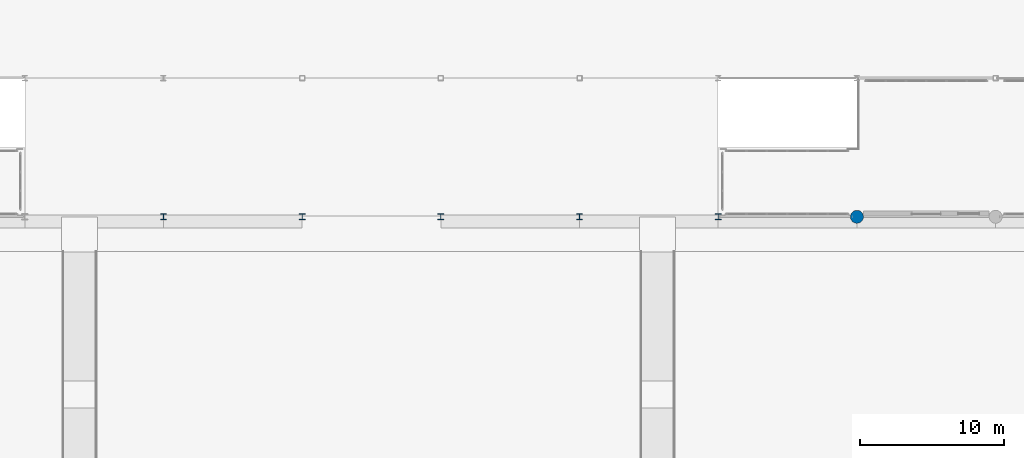
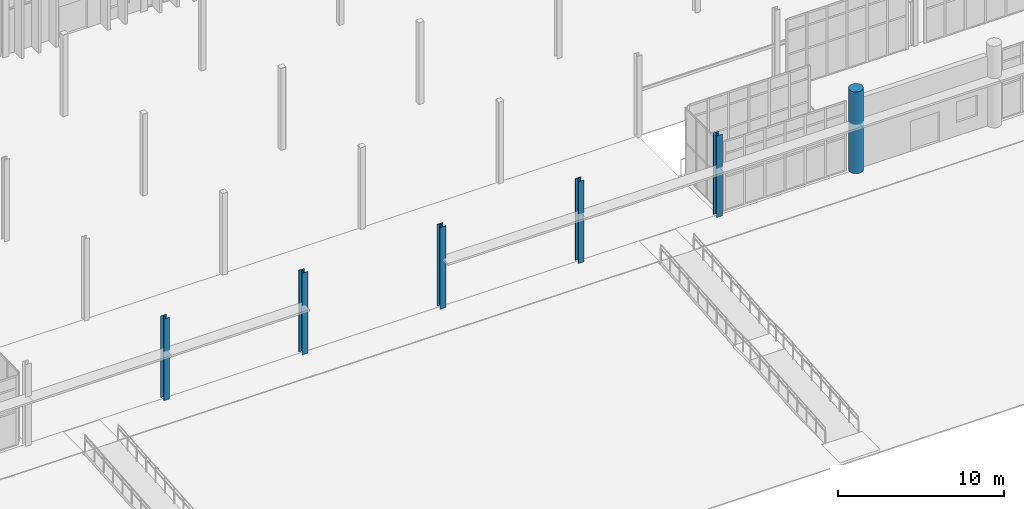
# One storey, part 5 of 139: 6 columns.
"""IFC4 building model written with IfcOpenShell, lengths in metres."""

from ifc_helpers import new_model, si_unit, direction, frame, origin, origin_2d, place, context, subcontext, project, spatial, circle, i_section, extrude, material, material_profile, profile_set, type_object, element, save


model = new_model("IFC4")

# Units and contexts
model_context = context("Model", 3, precision=1e-05, world=origin(), true_north=direction((0.0, 1.0)))
body_context = subcontext(model_context, "Body", "Model", "MODEL_VIEW")
ifc_project = project(units=[si_unit("LENGTHUNIT", "METRE"), si_unit("AREAUNIT", "SQUARE_METRE"), si_unit("VOLUMEUNIT", "CUBIC_METRE"), si_unit("PLANEANGLEUNIT", "RADIAN"), si_unit("MASSUNIT", "GRAM", prefix="KILO")], contexts=[model_context])

# Site, building, storey
site_placement = place(None, origin())
site = spatial("IfcSite", under=ifc_project, at=site_placement, CompositionType="ELEMENT")
building_placement = place(site_placement, origin())
building = spatial("IfcBuilding", under=site, at=building_placement, Name="Yeouljin Market Hall", CompositionType="ELEMENT")
storey_placement = place(building_placement, origin())
storey = spatial("IfcBuildingStorey", under=building, at=storey_placement, Name="L00", CompositionType="ELEMENT", Elevation=0.0)

# Columns
ifc_material_1 = material(Name="Steel SM355", Category="steel")
ifc_material_profile_1 = material_profile(ifc_material_1, i_section(OverallWidth=0.39990234375, OverallDepth=0.39990234375, WebThickness=0.012939453125, FlangeThickness=0.02099609375, FilletRadius=0.02197265625, at=origin_2d()), Name="H-400x400x13x21")
ifc_profile_set_1 = profile_set([ifc_material_profile_1], Name="Steel SM355")
column_type_1 = type_object("IfcColumnType", Name="Col_H-400x400x13x21", PredefinedType="COLUMN", material=ifc_profile_set_1)
for number, where, z_axis, x_axis, name in (
    (1, (73.800048828125, 0.0, 0.0), (0.0, 0.0, 1.0), (1.0, 0.0, 0.0), "Column G-09-00 (L00)"),
    (2, (83.39990234375, 0.0, 0.0), (0.0, 0.0, 1.0), (1.0, 0.0, 0.0), "Column G-10-00 (L00)"),
    (3, (93.0, 0.0, 0.0), (0.0, 0.0, 1.0), (1.0, 0.0, 0.0), "Column G-11-00 (L00)"),
    (4, (102.60009765625, 0.0, 0.0), (0.0, 0.0, 1.0), (1.0, 0.0, 0.0), "Column G-12-00 (L00)"),
    (5, (112.199951171875, 0.0, 0.0), (0.0, 0.0, 1.0), (1.0, 0.0, 0.0), "Column G-13-00 (L00)"),
):
    element("IfcColumn", number, at=place(storey_placement, frame(where, z_axis=z_axis, x_axis=x_axis)), inside=storey, type_object=column_type_1, Name=name, PredefinedType="COLUMN", context=body_context, shape_type="SweptSolid", body=[
        extrude(i_section(OverallWidth=0.39990234375, OverallDepth=0.39990234375, WebThickness=0.012939453125, FlangeThickness=0.02099609375, FilletRadius=0.02197265625, at=origin_2d()), origin(), (0.0, 0.0, 1.0), 6.0),
    ])
ifc_material_2 = material(Name="Concrete C35/45", Category="concrete")
ifc_material_profile_2 = material_profile(ifc_material_2, circle(Radius=0.449951171875, at=origin_2d()), Name="RC-D900")
ifc_profile_set_2 = profile_set([ifc_material_profile_2], Name="Concrete C35/45")
column_type_2 = type_object("IfcColumnType", Name="Col_RC-D900", PredefinedType="COLUMN", material=ifc_profile_set_2)
column_placement = place(storey_placement, frame((121.800048828125, 0.0, 0.0), z_axis=(0.0, 0.0, 1.0), x_axis=(1.0, 0.0, 0.0)))
element("IfcColumn", 6, at=column_placement, inside=storey, type_object=column_type_2, Name="Column G-14-00 (L00)", PredefinedType="COLUMN", context=body_context, shape_type="SweptSolid", body=[
    extrude(circle(Radius=0.449951171875, at=origin_2d()), origin(), (0.0, 0.0, 1.0), 6.0),
])

save(model, "model.ifc")
